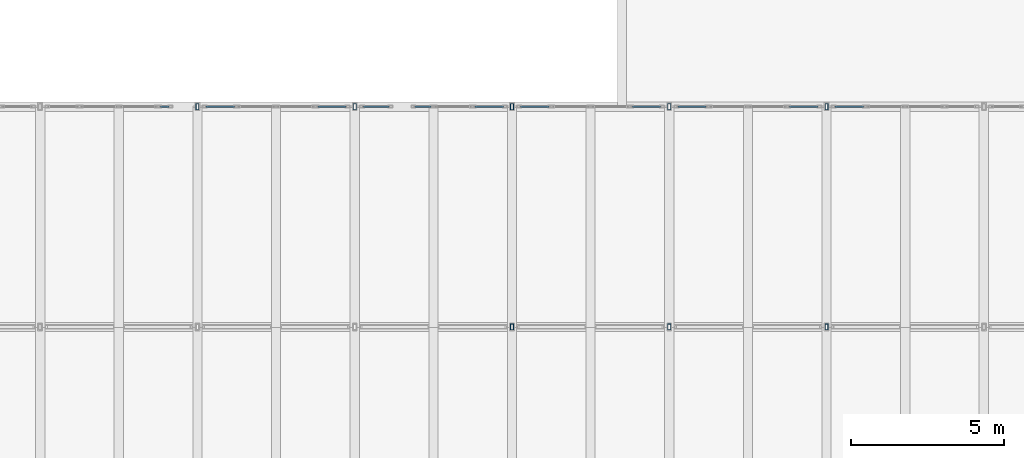
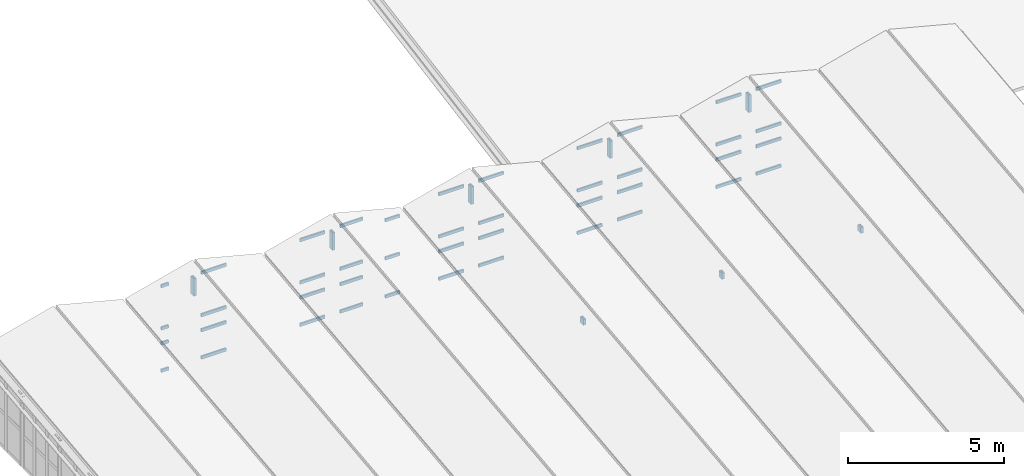
# One storey, part 21 of 39: 51 members, 11 elements without a shape of their own.
"""IFC4 building model written with IfcOpenShell, lengths in metres."""

from ifc_helpers import new_model, si_unit, direction, frame, origin, origin_2d, place, context, subcontext, project, spatial, hollow_rectangle, extrude, material, layer, layer_set, material_profile, profile_set, type_object, element, aggregate, save


model = new_model("IFC4")

# Units and contexts
model_context = context("Model", 3, precision=1e-05, world=origin(), true_north=direction((0.0, 1.0)))
body_context = subcontext(model_context, "Body", "Model", "MODEL_VIEW")
ifc_project = project(units=[si_unit("LENGTHUNIT", "METRE"), si_unit("AREAUNIT", "SQUARE_METRE"), si_unit("VOLUMEUNIT", "CUBIC_METRE"), si_unit("PLANEANGLEUNIT", "RADIAN"), si_unit("MASSUNIT", "GRAM", prefix="KILO"), si_unit("THERMODYNAMICTEMPERATUREUNIT", "KELVIN"), si_unit("POWERUNIT", "WATT")], contexts=[model_context])

# Site, building, storey
site_placement = place(None, origin())
site = spatial("IfcSite", under=ifc_project, at=site_placement, CompositionType="ELEMENT")
building_placement = place(site_placement, origin())
building = spatial("IfcBuilding", under=site, at=building_placement, Name="Kaldorven Railside Theatre", CompositionType="ELEMENT")
storey_placement = place(building_placement, frame((0.0, 0.0, 27.300048828125)))
storey = spatial("IfcBuildingStorey", under=building, at=storey_placement, Name="ROOF", CompositionType="ELEMENT", Elevation=27.300048828125)

# Curtain wall, members
ifc_material_1 = material(Name="Low-E laminated solar-control glass", Category="glass")
ifc_layer_1 = layer(ifc_material_1, 0.159912109375, Name="Low-E laminated solar-control glass")
ifc_layer_set_1 = layer_set([ifc_layer_1], Name="Low-E laminated solar-control glass")
curtain_wall_type_1 = type_object("IfcCurtainWallType", Name="CWT-50", PredefinedType="USERDEFINED", material=ifc_layer_set_1)
curtain_wall_1_placement = place(storey_placement, origin())
curtain_wall_1 = element("IfcCurtainWall", 1, at=curtain_wall_1_placement, inside=storey, type_object=curtain_wall_type_1, Name="Fly-Tower North Crown Clerestory CWG-068", ObjectType="FLUTED GLAZING", PredefinedType="USERDEFINED")
ifc_material_2 = material(Name="Anodised bronze aluminium", Category="aluminium")
ifc_material_profile_1 = material_profile(ifc_material_2, hollow_rectangle(XDim=0.06005859375, YDim=0.1201171875, WallThickness=0.0048828125, at=origin_2d()), Name="RHS 120x60x5")
ifc_profile_set_1 = profile_set([ifc_material_profile_1], Name="Anodised bronze aluminium")
member_type_1 = type_object("IfcMemberType", Name="CWT-120", PredefinedType="USERDEFINED", material=ifc_profile_set_1)
member_1_placement = place(storey_placement, frame((93.70849609375, 112.800048828125, 0.050048828125), z_axis=(1.0, 0.0, 0.0), x_axis=(0.0, 1.0, 0.0)))
member_1 = element("IfcMember", 2, at=member_1_placement, type_object=member_type_1, Name="CWG-068 transom 1.1", ObjectType="TRANSOM", PredefinedType="USERDEFINED", context=body_context, shape_type="SweptSolid", body=[
    extrude(hollow_rectangle(XDim=0.06005859375, YDim=0.1201171875, WallThickness=0.0048828125, at=origin_2d()), origin(), (0.0, 0.0, 1.0), 0.271484375),
])
member_2_placement = place(storey_placement, frame((93.70849609375, 112.800048828125, 1.119873046875), z_axis=(1.0, 0.0, 0.0), x_axis=(0.0, 1.0, 0.0)))
member_2 = element("IfcMember", 3, at=member_2_placement, type_object=member_type_1, Name="CWG-068 transom 1.2", ObjectType="TRANSOM", PredefinedType="USERDEFINED", context=body_context, shape_type="SweptSolid", body=[
    extrude(hollow_rectangle(XDim=0.06005859375, YDim=0.1201171875, WallThickness=0.0048828125, at=origin_2d()), origin(), (0.0, 0.0, 1.0), 0.271484375),
])
member_3_placement = place(storey_placement, frame((93.70849609375, 112.800048828125, 1.7099609375), z_axis=(1.0, 0.0, 0.0), x_axis=(0.0, 1.0, 0.0)))
member_3 = element("IfcMember", 4, at=member_3_placement, type_object=member_type_1, Name="CWG-068 transom 1.3", ObjectType="TRANSOM", PredefinedType="USERDEFINED", context=body_context, shape_type="SweptSolid", body=[
    extrude(hollow_rectangle(XDim=0.06005859375, YDim=0.1201171875, WallThickness=0.0048828125, at=origin_2d()), origin(), (0.0, 0.0, 1.0), 0.271484375),
])
member_4_placement = place(storey_placement, frame((93.70849609375, 112.800048828125, 3.369873046875), z_axis=(1.0, 0.0, 0.0), x_axis=(0.0, 1.0, 0.0)))
member_4 = element("IfcMember", 5, at=member_4_placement, type_object=member_type_1, Name="CWG-068 transom 1.4", ObjectType="TRANSOM", PredefinedType="USERDEFINED", context=body_context, shape_type="SweptSolid", body=[
    extrude(hollow_rectangle(XDim=0.06005859375, YDim=0.1201171875, WallThickness=0.0048828125, at=origin_2d()), origin(), (0.0, 0.0, 1.0), 0.271484375),
])
aggregate(curtain_wall_1, [member_1, member_2, member_3, member_4])

ifc_layer_2 = layer(ifc_material_1, 0.159912109375, Name="Low-E laminated solar-control glass")
ifc_layer_set_2 = layer_set([ifc_layer_2], Name="Low-E laminated solar-control glass")
curtain_wall_type_2 = type_object("IfcCurtainWallType", Name="CWT-48", PredefinedType="USERDEFINED", material=ifc_layer_set_2)
curtain_wall_2_placement = place(storey_placement, origin())
curtain_wall_2 = element("IfcCurtainWall", 6, at=curtain_wall_2_placement, inside=storey, type_object=curtain_wall_type_2, Name="Fly-Tower North Crown Clerestory CWG-069", ObjectType="FLUTED GLAZING", PredefinedType="USERDEFINED")
member_5_placement = place(storey_placement, frame((95.1943359375, 112.800048828125, 0.050048828125), z_axis=(1.0, 0.0, 0.0), x_axis=(0.0, 1.0, 0.0)))
member_5 = element("IfcMember", 7, at=member_5_placement, type_object=member_type_1, Name="CWG-069 transom 1.1", ObjectType="TRANSOM", PredefinedType="USERDEFINED", context=body_context, shape_type="SweptSolid", body=[
    extrude(hollow_rectangle(XDim=0.06005859375, YDim=0.1201171875, WallThickness=0.0048828125, at=origin_2d()), origin(), (0.0, 0.0, 1.0), 0.92578125),
])
member_6_placement = place(storey_placement, frame((95.1943359375, 112.800048828125, 1.119873046875), z_axis=(1.0, 0.0, 0.0), x_axis=(0.0, 1.0, 0.0)))
member_6 = element("IfcMember", 8, at=member_6_placement, type_object=member_type_1, Name="CWG-069 transom 1.2", ObjectType="TRANSOM", PredefinedType="USERDEFINED", context=body_context, shape_type="SweptSolid", body=[
    extrude(hollow_rectangle(XDim=0.06005859375, YDim=0.1201171875, WallThickness=0.0048828125, at=origin_2d()), origin(), (0.0, 0.0, 1.0), 0.92578125),
])
member_7_placement = place(storey_placement, frame((95.1943359375, 112.800048828125, 1.7099609375), z_axis=(1.0, 0.0, 0.0), x_axis=(0.0, 1.0, 0.0)))
member_7 = element("IfcMember", 9, at=member_7_placement, type_object=member_type_1, Name="CWG-069 transom 1.3", ObjectType="TRANSOM", PredefinedType="USERDEFINED", context=body_context, shape_type="SweptSolid", body=[
    extrude(hollow_rectangle(XDim=0.06005859375, YDim=0.1201171875, WallThickness=0.0048828125, at=origin_2d()), origin(), (0.0, 0.0, 1.0), 0.92578125),
])
member_8_placement = place(storey_placement, frame((95.1943359375, 112.800048828125, 3.369873046875), z_axis=(1.0, 0.0, 0.0), x_axis=(0.0, 1.0, 0.0)))
member_8 = element("IfcMember", 10, at=member_8_placement, type_object=member_type_1, Name="CWG-069 transom 1.4", ObjectType="TRANSOM", PredefinedType="USERDEFINED", context=body_context, shape_type="SweptSolid", body=[
    extrude(hollow_rectangle(XDim=0.06005859375, YDim=0.1201171875, WallThickness=0.0048828125, at=origin_2d()), origin(), (0.0, 0.0, 1.0), 0.92578125),
])
aggregate(curtain_wall_2, [member_5, member_6, member_7, member_8])

curtain_wall_3_placement = place(storey_placement, origin())
curtain_wall_3 = element("IfcCurtainWall", 11, at=curtain_wall_3_placement, inside=storey, type_object=curtain_wall_type_2, Name="Fly-Tower North Crown Clerestory CWG-072", ObjectType="FLUTED GLAZING", PredefinedType="USERDEFINED")
member_9_placement = place(storey_placement, frame((98.851318359375, 112.800048828125, 0.050048828125), z_axis=(1.0, 0.0, 0.0), x_axis=(0.0, 1.0, 0.0)))
member_9 = element("IfcMember", 12, at=member_9_placement, type_object=member_type_1, Name="CWG-072 transom 1.1", ObjectType="TRANSOM", PredefinedType="USERDEFINED", context=body_context, shape_type="SweptSolid", body=[
    extrude(hollow_rectangle(XDim=0.06005859375, YDim=0.1201171875, WallThickness=0.0048828125, at=origin_2d()), origin(), (0.0, 0.0, 1.0), 0.92578125),
])
member_10_placement = place(storey_placement, frame((98.851318359375, 112.800048828125, 1.119873046875), z_axis=(1.0, 0.0, 0.0), x_axis=(0.0, 1.0, 0.0)))
member_10 = element("IfcMember", 13, at=member_10_placement, type_object=member_type_1, Name="CWG-072 transom 1.2", ObjectType="TRANSOM", PredefinedType="USERDEFINED", context=body_context, shape_type="SweptSolid", body=[
    extrude(hollow_rectangle(XDim=0.06005859375, YDim=0.1201171875, WallThickness=0.0048828125, at=origin_2d()), origin(), (0.0, 0.0, 1.0), 0.92578125),
])
member_11_placement = place(storey_placement, frame((98.851318359375, 112.800048828125, 1.7099609375), z_axis=(1.0, 0.0, 0.0), x_axis=(0.0, 1.0, 0.0)))
member_11 = element("IfcMember", 14, at=member_11_placement, type_object=member_type_1, Name="CWG-072 transom 1.3", ObjectType="TRANSOM", PredefinedType="USERDEFINED", context=body_context, shape_type="SweptSolid", body=[
    extrude(hollow_rectangle(XDim=0.06005859375, YDim=0.1201171875, WallThickness=0.0048828125, at=origin_2d()), origin(), (0.0, 0.0, 1.0), 0.92578125),
])
member_12_placement = place(storey_placement, frame((98.851318359375, 112.800048828125, 3.369873046875), z_axis=(1.0, 0.0, 0.0), x_axis=(0.0, 1.0, 0.0)))
member_12 = element("IfcMember", 15, at=member_12_placement, type_object=member_type_1, Name="CWG-072 transom 1.4", ObjectType="TRANSOM", PredefinedType="USERDEFINED", context=body_context, shape_type="SweptSolid", body=[
    extrude(hollow_rectangle(XDim=0.06005859375, YDim=0.1201171875, WallThickness=0.0048828125, at=origin_2d()), origin(), (0.0, 0.0, 1.0), 0.92578125),
])
aggregate(curtain_wall_3, [member_9, member_10, member_11, member_12])

ifc_layer_3 = layer(ifc_material_1, 0.159912109375, Name="Low-E laminated solar-control glass")
ifc_layer_set_3 = layer_set([ifc_layer_3], Name="Low-E laminated solar-control glass")
curtain_wall_type_3 = type_object("IfcCurtainWallType", Name="CWT-51", PredefinedType="USERDEFINED", material=ifc_layer_set_3)
curtain_wall_4_placement = place(storey_placement, origin())
curtain_wall_4 = element("IfcCurtainWall", 16, at=curtain_wall_4_placement, inside=storey, type_object=curtain_wall_type_3, Name="Fly-Tower North Crown Clerestory CWG-073", ObjectType="FLUTED GLAZING", PredefinedType="USERDEFINED")
member_13_placement = place(storey_placement, frame((100.337158203125, 112.800048828125, 0.050048828125), z_axis=(1.0, 0.0, 0.0), x_axis=(0.0, 1.0, 0.0)))
member_13 = element("IfcMember", 17, at=member_13_placement, type_object=member_type_1, Name="CWG-073 transom 1.1", ObjectType="TRANSOM", PredefinedType="USERDEFINED", context=body_context, shape_type="SweptSolid", body=[
    extrude(hollow_rectangle(XDim=0.06005859375, YDim=0.1201171875, WallThickness=0.0048828125, at=origin_2d()), origin(), (0.0, 0.0, 1.0), 0.8427734375),
])
member_14_placement = place(storey_placement, frame((100.337158203125, 112.800048828125, 1.119873046875), z_axis=(1.0, 0.0, 0.0), x_axis=(0.0, 1.0, 0.0)))
member_14 = element("IfcMember", 18, at=member_14_placement, type_object=member_type_1, Name="CWG-073 transom 1.2", ObjectType="TRANSOM", PredefinedType="USERDEFINED", context=body_context, shape_type="SweptSolid", body=[
    extrude(hollow_rectangle(XDim=0.06005859375, YDim=0.1201171875, WallThickness=0.0048828125, at=origin_2d()), origin(), (0.0, 0.0, 1.0), 0.8427734375),
])
member_15_placement = place(storey_placement, frame((100.337158203125, 112.800048828125, 1.724853515625), z_axis=(1.0, 0.0, 0.0), x_axis=(0.0, 1.0, 0.0)))
member_15 = element("IfcMember", 19, at=member_15_placement, type_object=member_type_1, Name="CWG-073 transom 1.3", ObjectType="TRANSOM", PredefinedType="USERDEFINED", context=body_context, shape_type="SweptSolid", body=[
    extrude(hollow_rectangle(XDim=0.06005859375, YDim=0.1201171875, WallThickness=0.0048828125, at=origin_2d()), origin(), (0.0, 0.0, 1.0), 0.8427734375),
])
member_16_placement = place(storey_placement, frame((100.337158203125, 112.800048828125, 3.39990234375), z_axis=(1.0, 0.0, 0.0), x_axis=(0.0, 1.0, 0.0)))
member_16 = element("IfcMember", 20, at=member_16_placement, type_object=member_type_1, Name="CWG-073 transom 1.4", ObjectType="TRANSOM", PredefinedType="USERDEFINED", context=body_context, shape_type="SweptSolid", body=[
    extrude(hollow_rectangle(XDim=0.06005859375, YDim=0.1201171875, WallThickness=0.0048828125, at=origin_2d()), origin(), (0.0, 0.0, 1.0), 0.8427734375),
])
aggregate(curtain_wall_4, [member_13, member_14, member_15, member_16])

ifc_layer_4 = layer(ifc_material_1, 0.159912109375, Name="Low-E laminated solar-control glass")
ifc_layer_set_4 = layer_set([ifc_layer_4], Name="Low-E laminated solar-control glass")
curtain_wall_type_4 = type_object("IfcCurtainWallType", Name="CWT-52", PredefinedType="USERDEFINED", material=ifc_layer_set_4)
curtain_wall_5_placement = place(storey_placement, origin())
curtain_wall_5 = element("IfcCurtainWall", 21, at=curtain_wall_5_placement, inside=storey, type_object=curtain_wall_type_4, Name="Fly-Tower North Crown Clerestory CWG-074", ObjectType="FLUTED GLAZING", PredefinedType="USERDEFINED")
member_17_placement = place(storey_placement, frame((102.02001953125, 112.800048828125, 0.050048828125), z_axis=(1.0, 0.0, 0.0), x_axis=(0.0, 1.0, 0.0)))
member_17 = element("IfcMember", 22, at=member_17_placement, type_object=member_type_1, Name="CWG-074 transom 1.1", ObjectType="TRANSOM", PredefinedType="USERDEFINED", context=body_context, shape_type="SweptSolid", body=[
    extrude(hollow_rectangle(XDim=0.06005859375, YDim=0.1201171875, WallThickness=0.0048828125, at=origin_2d()), origin(), (0.0, 0.0, 1.0), 0.528564453125),
])
member_18_placement = place(storey_placement, frame((102.02001953125, 112.800048828125, 1.544921875), z_axis=(1.0, 0.0, 0.0), x_axis=(0.0, 1.0, 0.0)))
member_18 = element("IfcMember", 23, at=member_18_placement, type_object=member_type_1, Name="CWG-074 transom 1.2", ObjectType="TRANSOM", PredefinedType="USERDEFINED", context=body_context, shape_type="SweptSolid", body=[
    extrude(hollow_rectangle(XDim=0.06005859375, YDim=0.1201171875, WallThickness=0.0048828125, at=origin_2d()), origin(), (0.0, 0.0, 1.0), 0.528564453125),
])
member_19_placement = place(storey_placement, frame((102.02001953125, 112.800048828125, 3.0400390625), z_axis=(1.0, 0.0, 0.0), x_axis=(0.0, 1.0, 0.0)))
member_19 = element("IfcMember", 24, at=member_19_placement, type_object=member_type_1, Name="CWG-074 transom 1.3", ObjectType="TRANSOM", PredefinedType="USERDEFINED", context=body_context, shape_type="SweptSolid", body=[
    extrude(hollow_rectangle(XDim=0.06005859375, YDim=0.1201171875, WallThickness=0.0048828125, at=origin_2d()), origin(), (0.0, 0.0, 1.0), 0.528564453125),
])
aggregate(curtain_wall_5, [member_17, member_18, member_19])

curtain_wall_6_placement = place(storey_placement, origin())
curtain_wall_6 = element("IfcCurtainWall", 25, at=curtain_wall_6_placement, inside=storey, type_object=curtain_wall_type_2, Name="Fly-Tower North Crown Clerestory CWG-076", ObjectType="FLUTED GLAZING", PredefinedType="USERDEFINED")
member_20_placement = place(storey_placement, frame((103.994384765625, 112.800048828125, 0.050048828125), z_axis=(1.0, 0.0, 0.0), x_axis=(0.0, 1.0, 0.0)))
member_20 = element("IfcMember", 26, at=member_20_placement, type_object=member_type_1, Name="CWG-076 transom 1.1", ObjectType="TRANSOM", PredefinedType="USERDEFINED", context=body_context, shape_type="SweptSolid", body=[
    extrude(hollow_rectangle(XDim=0.06005859375, YDim=0.1201171875, WallThickness=0.0048828125, at=origin_2d()), origin(), (0.0, 0.0, 1.0), 0.925537109375),
])
member_21_placement = place(storey_placement, frame((103.994384765625, 112.800048828125, 1.119873046875), z_axis=(1.0, 0.0, 0.0), x_axis=(0.0, 1.0, 0.0)))
member_21 = element("IfcMember", 27, at=member_21_placement, type_object=member_type_1, Name="CWG-076 transom 1.2", ObjectType="TRANSOM", PredefinedType="USERDEFINED", context=body_context, shape_type="SweptSolid", body=[
    extrude(hollow_rectangle(XDim=0.06005859375, YDim=0.1201171875, WallThickness=0.0048828125, at=origin_2d()), origin(), (0.0, 0.0, 1.0), 0.925537109375),
])
member_22_placement = place(storey_placement, frame((103.994384765625, 112.800048828125, 1.7099609375), z_axis=(1.0, 0.0, 0.0), x_axis=(0.0, 1.0, 0.0)))
member_22 = element("IfcMember", 28, at=member_22_placement, type_object=member_type_1, Name="CWG-076 transom 1.3", ObjectType="TRANSOM", PredefinedType="USERDEFINED", context=body_context, shape_type="SweptSolid", body=[
    extrude(hollow_rectangle(XDim=0.06005859375, YDim=0.1201171875, WallThickness=0.0048828125, at=origin_2d()), origin(), (0.0, 0.0, 1.0), 0.925537109375),
])
member_23_placement = place(storey_placement, frame((103.994384765625, 112.800048828125, 3.369873046875), z_axis=(1.0, 0.0, 0.0), x_axis=(0.0, 1.0, 0.0)))
member_23 = element("IfcMember", 29, at=member_23_placement, type_object=member_type_1, Name="CWG-076 transom 1.4", ObjectType="TRANSOM", PredefinedType="USERDEFINED", context=body_context, shape_type="SweptSolid", body=[
    extrude(hollow_rectangle(XDim=0.06005859375, YDim=0.1201171875, WallThickness=0.0048828125, at=origin_2d()), origin(), (0.0, 0.0, 1.0), 0.925537109375),
])
aggregate(curtain_wall_6, [member_20, member_21, member_22, member_23])

curtain_wall_7_placement = place(storey_placement, origin())
curtain_wall_7 = element("IfcCurtainWall", 30, at=curtain_wall_7_placement, inside=storey, type_object=curtain_wall_type_2, Name="Fly-Tower North Crown Clerestory CWG-077", ObjectType="FLUTED GLAZING", PredefinedType="USERDEFINED")
member_24_placement = place(storey_placement, frame((105.47998046875, 112.800048828125, 0.050048828125), z_axis=(1.0, 0.0, 0.0), x_axis=(0.0, 1.0, 0.0)))
member_24 = element("IfcMember", 31, at=member_24_placement, type_object=member_type_1, Name="CWG-077 transom 1.1", ObjectType="TRANSOM", PredefinedType="USERDEFINED", context=body_context, shape_type="SweptSolid", body=[
    extrude(hollow_rectangle(XDim=0.06005859375, YDim=0.1201171875, WallThickness=0.0048828125, at=origin_2d()), origin(), (0.0, 0.0, 1.0), 0.92578125),
])
member_25_placement = place(storey_placement, frame((105.47998046875, 112.800048828125, 1.119873046875), z_axis=(1.0, 0.0, 0.0), x_axis=(0.0, 1.0, 0.0)))
member_25 = element("IfcMember", 32, at=member_25_placement, type_object=member_type_1, Name="CWG-077 transom 1.2", ObjectType="TRANSOM", PredefinedType="USERDEFINED", context=body_context, shape_type="SweptSolid", body=[
    extrude(hollow_rectangle(XDim=0.06005859375, YDim=0.1201171875, WallThickness=0.0048828125, at=origin_2d()), origin(), (0.0, 0.0, 1.0), 0.92578125),
])
member_26_placement = place(storey_placement, frame((105.47998046875, 112.800048828125, 1.7099609375), z_axis=(1.0, 0.0, 0.0), x_axis=(0.0, 1.0, 0.0)))
member_26 = element("IfcMember", 33, at=member_26_placement, type_object=member_type_1, Name="CWG-077 transom 1.3", ObjectType="TRANSOM", PredefinedType="USERDEFINED", context=body_context, shape_type="SweptSolid", body=[
    extrude(hollow_rectangle(XDim=0.06005859375, YDim=0.1201171875, WallThickness=0.0048828125, at=origin_2d()), origin(), (0.0, 0.0, 1.0), 0.92578125),
])
member_27_placement = place(storey_placement, frame((105.47998046875, 112.800048828125, 3.369873046875), z_axis=(1.0, 0.0, 0.0), x_axis=(0.0, 1.0, 0.0)))
member_27 = element("IfcMember", 34, at=member_27_placement, type_object=member_type_1, Name="CWG-077 transom 1.4", ObjectType="TRANSOM", PredefinedType="USERDEFINED", context=body_context, shape_type="SweptSolid", body=[
    extrude(hollow_rectangle(XDim=0.06005859375, YDim=0.1201171875, WallThickness=0.0048828125, at=origin_2d()), origin(), (0.0, 0.0, 1.0), 0.92578125),
])
aggregate(curtain_wall_7, [member_24, member_25, member_26, member_27])

curtain_wall_8_placement = place(storey_placement, origin())
curtain_wall_8 = element("IfcCurtainWall", 35, at=curtain_wall_8_placement, inside=storey, type_object=curtain_wall_type_2, Name="Fly-Tower North Crown Clerestory CWG-080", ObjectType="FLUTED GLAZING", PredefinedType="USERDEFINED")
member_28_placement = place(storey_placement, frame((109.13720703125, 112.800048828125, 0.050048828125), z_axis=(1.0, 0.0, 0.0), x_axis=(0.0, 1.0, 0.0)))
member_28 = element("IfcMember", 36, at=member_28_placement, type_object=member_type_1, Name="CWG-080 transom 1.1", ObjectType="TRANSOM", PredefinedType="USERDEFINED", context=body_context, shape_type="SweptSolid", body=[
    extrude(hollow_rectangle(XDim=0.06005859375, YDim=0.1201171875, WallThickness=0.0048828125, at=origin_2d()), origin(), (0.0, 0.0, 1.0), 0.925537109375),
])
member_29_placement = place(storey_placement, frame((109.13720703125, 112.800048828125, 1.119873046875), z_axis=(1.0, 0.0, 0.0), x_axis=(0.0, 1.0, 0.0)))
member_29 = element("IfcMember", 37, at=member_29_placement, type_object=member_type_1, Name="CWG-080 transom 1.2", ObjectType="TRANSOM", PredefinedType="USERDEFINED", context=body_context, shape_type="SweptSolid", body=[
    extrude(hollow_rectangle(XDim=0.06005859375, YDim=0.1201171875, WallThickness=0.0048828125, at=origin_2d()), origin(), (0.0, 0.0, 1.0), 0.925537109375),
])
member_30_placement = place(storey_placement, frame((109.13720703125, 112.800048828125, 1.7099609375), z_axis=(1.0, 0.0, 0.0), x_axis=(0.0, 1.0, 0.0)))
member_30 = element("IfcMember", 38, at=member_30_placement, type_object=member_type_1, Name="CWG-080 transom 1.3", ObjectType="TRANSOM", PredefinedType="USERDEFINED", context=body_context, shape_type="SweptSolid", body=[
    extrude(hollow_rectangle(XDim=0.06005859375, YDim=0.1201171875, WallThickness=0.0048828125, at=origin_2d()), origin(), (0.0, 0.0, 1.0), 0.925537109375),
])
member_31_placement = place(storey_placement, frame((109.13720703125, 112.800048828125, 3.369873046875), z_axis=(1.0, 0.0, 0.0), x_axis=(0.0, 1.0, 0.0)))
member_31 = element("IfcMember", 39, at=member_31_placement, type_object=member_type_1, Name="CWG-080 transom 1.4", ObjectType="TRANSOM", PredefinedType="USERDEFINED", context=body_context, shape_type="SweptSolid", body=[
    extrude(hollow_rectangle(XDim=0.06005859375, YDim=0.1201171875, WallThickness=0.0048828125, at=origin_2d()), origin(), (0.0, 0.0, 1.0), 0.925537109375),
])
aggregate(curtain_wall_8, [member_28, member_29, member_30, member_31])

curtain_wall_9_placement = place(storey_placement, origin())
curtain_wall_9 = element("IfcCurtainWall", 40, at=curtain_wall_9_placement, inside=storey, type_object=curtain_wall_type_2, Name="Fly-Tower North Crown Clerestory CWG-081", ObjectType="FLUTED GLAZING", PredefinedType="USERDEFINED")
member_32_placement = place(storey_placement, frame((110.622802734375, 112.800048828125, 0.050048828125), z_axis=(1.0, 0.0, 0.0), x_axis=(0.0, 1.0, 0.0)))
member_32 = element("IfcMember", 41, at=member_32_placement, type_object=member_type_1, Name="CWG-081 transom 1.1", ObjectType="TRANSOM", PredefinedType="USERDEFINED", context=body_context, shape_type="SweptSolid", body=[
    extrude(hollow_rectangle(XDim=0.06005859375, YDim=0.1201171875, WallThickness=0.0048828125, at=origin_2d()), origin(), (0.0, 0.0, 1.0), 0.92578125),
])
member_33_placement = place(storey_placement, frame((110.622802734375, 112.800048828125, 1.119873046875), z_axis=(1.0, 0.0, 0.0), x_axis=(0.0, 1.0, 0.0)))
member_33 = element("IfcMember", 42, at=member_33_placement, type_object=member_type_1, Name="CWG-081 transom 1.2", ObjectType="TRANSOM", PredefinedType="USERDEFINED", context=body_context, shape_type="SweptSolid", body=[
    extrude(hollow_rectangle(XDim=0.06005859375, YDim=0.1201171875, WallThickness=0.0048828125, at=origin_2d()), origin(), (0.0, 0.0, 1.0), 0.92578125),
])
member_34_placement = place(storey_placement, frame((110.622802734375, 112.800048828125, 1.7099609375), z_axis=(1.0, 0.0, 0.0), x_axis=(0.0, 1.0, 0.0)))
member_34 = element("IfcMember", 43, at=member_34_placement, type_object=member_type_1, Name="CWG-081 transom 1.3", ObjectType="TRANSOM", PredefinedType="USERDEFINED", context=body_context, shape_type="SweptSolid", body=[
    extrude(hollow_rectangle(XDim=0.06005859375, YDim=0.1201171875, WallThickness=0.0048828125, at=origin_2d()), origin(), (0.0, 0.0, 1.0), 0.92578125),
])
member_35_placement = place(storey_placement, frame((110.622802734375, 112.800048828125, 3.369873046875), z_axis=(1.0, 0.0, 0.0), x_axis=(0.0, 1.0, 0.0)))
member_35 = element("IfcMember", 44, at=member_35_placement, type_object=member_type_1, Name="CWG-081 transom 1.4", ObjectType="TRANSOM", PredefinedType="USERDEFINED", context=body_context, shape_type="SweptSolid", body=[
    extrude(hollow_rectangle(XDim=0.06005859375, YDim=0.1201171875, WallThickness=0.0048828125, at=origin_2d()), origin(), (0.0, 0.0, 1.0), 0.92578125),
])
aggregate(curtain_wall_9, [member_32, member_33, member_34, member_35])

curtain_wall_10_placement = place(storey_placement, origin())
curtain_wall_10 = element("IfcCurtainWall", 45, at=curtain_wall_10_placement, inside=storey, type_object=curtain_wall_type_2, Name="Fly-Tower North Crown Clerestory CWG-084", ObjectType="FLUTED GLAZING", PredefinedType="USERDEFINED")
member_36_placement = place(storey_placement, frame((114.280029296875, 112.800048828125, 0.050048828125), z_axis=(1.0, 0.0, 0.0), x_axis=(0.0, 1.0, 0.0)))
member_36 = element("IfcMember", 46, at=member_36_placement, type_object=member_type_1, Name="CWG-084 transom 1.1", ObjectType="TRANSOM", PredefinedType="USERDEFINED", context=body_context, shape_type="SweptSolid", body=[
    extrude(hollow_rectangle(XDim=0.06005859375, YDim=0.1201171875, WallThickness=0.0048828125, at=origin_2d()), origin(), (0.0, 0.0, 1.0), 0.92578125),
])
member_37_placement = place(storey_placement, frame((114.280029296875, 112.800048828125, 1.119873046875), z_axis=(1.0, 0.0, 0.0), x_axis=(0.0, 1.0, 0.0)))
member_37 = element("IfcMember", 47, at=member_37_placement, type_object=member_type_1, Name="CWG-084 transom 1.2", ObjectType="TRANSOM", PredefinedType="USERDEFINED", context=body_context, shape_type="SweptSolid", body=[
    extrude(hollow_rectangle(XDim=0.06005859375, YDim=0.1201171875, WallThickness=0.0048828125, at=origin_2d()), origin(), (0.0, 0.0, 1.0), 0.92578125),
])
member_38_placement = place(storey_placement, frame((114.280029296875, 112.800048828125, 1.7099609375), z_axis=(1.0, 0.0, 0.0), x_axis=(0.0, 1.0, 0.0)))
member_38 = element("IfcMember", 48, at=member_38_placement, type_object=member_type_1, Name="CWG-084 transom 1.3", ObjectType="TRANSOM", PredefinedType="USERDEFINED", context=body_context, shape_type="SweptSolid", body=[
    extrude(hollow_rectangle(XDim=0.06005859375, YDim=0.1201171875, WallThickness=0.0048828125, at=origin_2d()), origin(), (0.0, 0.0, 1.0), 0.92578125),
])
member_39_placement = place(storey_placement, frame((114.280029296875, 112.800048828125, 3.369873046875), z_axis=(1.0, 0.0, 0.0), x_axis=(0.0, 1.0, 0.0)))
member_39 = element("IfcMember", 49, at=member_39_placement, type_object=member_type_1, Name="CWG-084 transom 1.4", ObjectType="TRANSOM", PredefinedType="USERDEFINED", context=body_context, shape_type="SweptSolid", body=[
    extrude(hollow_rectangle(XDim=0.06005859375, YDim=0.1201171875, WallThickness=0.0048828125, at=origin_2d()), origin(), (0.0, 0.0, 1.0), 0.92578125),
])
aggregate(curtain_wall_10, [member_36, member_37, member_38, member_39])

curtain_wall_11_placement = place(storey_placement, origin())
curtain_wall_11 = element("IfcCurtainWall", 50, at=curtain_wall_11_placement, inside=storey, type_object=curtain_wall_type_2, Name="Fly-Tower North Crown Clerestory CWG-085", ObjectType="FLUTED GLAZING", PredefinedType="USERDEFINED")
member_40_placement = place(storey_placement, frame((115.765625, 112.800048828125, 0.050048828125), z_axis=(1.0, 0.0, 0.0), x_axis=(0.0, 1.0, 0.0)))
member_40 = element("IfcMember", 51, at=member_40_placement, type_object=member_type_1, Name="CWG-085 transom 1.1", ObjectType="TRANSOM", PredefinedType="USERDEFINED", context=body_context, shape_type="SweptSolid", body=[
    extrude(hollow_rectangle(XDim=0.06005859375, YDim=0.1201171875, WallThickness=0.0048828125, at=origin_2d()), origin(), (0.0, 0.0, 1.0), 0.92578125),
])
member_41_placement = place(storey_placement, frame((115.765625, 112.800048828125, 1.119873046875), z_axis=(1.0, 0.0, 0.0), x_axis=(0.0, 1.0, 0.0)))
member_41 = element("IfcMember", 52, at=member_41_placement, type_object=member_type_1, Name="CWG-085 transom 1.2", ObjectType="TRANSOM", PredefinedType="USERDEFINED", context=body_context, shape_type="SweptSolid", body=[
    extrude(hollow_rectangle(XDim=0.06005859375, YDim=0.1201171875, WallThickness=0.0048828125, at=origin_2d()), origin(), (0.0, 0.0, 1.0), 0.92578125),
])
member_42_placement = place(storey_placement, frame((115.765625, 112.800048828125, 1.7099609375), z_axis=(1.0, 0.0, 0.0), x_axis=(0.0, 1.0, 0.0)))
member_42 = element("IfcMember", 53, at=member_42_placement, type_object=member_type_1, Name="CWG-085 transom 1.3", ObjectType="TRANSOM", PredefinedType="USERDEFINED", context=body_context, shape_type="SweptSolid", body=[
    extrude(hollow_rectangle(XDim=0.06005859375, YDim=0.1201171875, WallThickness=0.0048828125, at=origin_2d()), origin(), (0.0, 0.0, 1.0), 0.92578125),
])
member_43_placement = place(storey_placement, frame((115.765625, 112.800048828125, 3.369873046875), z_axis=(1.0, 0.0, 0.0), x_axis=(0.0, 1.0, 0.0)))
member_43 = element("IfcMember", 54, at=member_43_placement, type_object=member_type_1, Name="CWG-085 transom 1.4", ObjectType="TRANSOM", PredefinedType="USERDEFINED", context=body_context, shape_type="SweptSolid", body=[
    extrude(hollow_rectangle(XDim=0.06005859375, YDim=0.1201171875, WallThickness=0.0048828125, at=origin_2d()), origin(), (0.0, 0.0, 1.0), 0.92578125),
])
aggregate(curtain_wall_11, [member_40, member_41, member_42, member_43])

# Members
ifc_material_3 = material(Name="Steel S355", Category="steel")
ifc_material_profile_2 = material_profile(ifc_material_3, hollow_rectangle(XDim=0.10009765625, YDim=0.199951171875, WallThickness=0.008056640625, at=origin_2d()), Name="RHS 200x100x8")
ifc_profile_set_2 = profile_set([ifc_material_profile_2], Name="Steel S355")
member_type_2 = type_object("IfcMemberType", Name="MEM-RHS200", PredefinedType="STRUT", material=ifc_profile_set_2)
for number, where, z_axis, x_axis, name in (
    (55, (94.914306640625, 112.800048828125, 2.614501953125), (0.0, 0.0, 1.0), (1.0, 0.0, 0.0), "V2 N Gable Bearing Post"),
    (56, (100.05712890625, 112.800048828125, 2.614501953125), (0.0, 0.0, 1.0), (1.0, 0.0, 0.0), "V2 N Gable Bearing Post"),
    (57, (105.199951171875, 112.800048828125, 2.614501953125), (0.0, 0.0, 1.0), (1.0, 0.0, 0.0), "V2 N Gable Bearing Post"),
    (58, (110.3427734375, 112.800048828125, 2.614501953125), (0.0, 0.0, 1.0), (1.0, 0.0, 0.0), "V2 N Gable Bearing Post"),
    (59, (115.485595703125, 112.800048828125, 2.614501953125), (0.0, 0.0, 1.0), (1.0, 0.0, 0.0), "V2 N Gable Bearing Post"),
):
    element("IfcMember", number, at=place(storey_placement, frame(where, z_axis=z_axis, x_axis=x_axis)), inside=storey, type_object=member_type_2, Name=name, PredefinedType="STRUT", context=body_context, shape_type="SweptSolid", body=[
        extrude(hollow_rectangle(XDim=0.10009765625, YDim=0.199951171875, WallThickness=0.008056640625, at=origin_2d()), origin(), (0.0, 0.0, 1.0), 0.6875),
    ])
for number, where, z_axis, x_axis, name in (
    (60, (105.199951171875, 105.60009765625, 2.244384765625), (0.0, 0.0, 1.0), (1.0, 0.0, 0.0), "V2 Folded-Roof King-Post Strut STR-055"),
    (61, (110.3427734375, 105.60009765625, 2.244384765625), (0.0, 0.0, 1.0), (1.0, 0.0, 0.0), "V2 Folded-Roof King-Post Strut STR-058"),
    (62, (115.485595703125, 105.60009765625, 2.244384765625), (0.0, 0.0, 1.0), (1.0, 0.0, 0.0), "V2 Folded-Roof King-Post Strut STR-061"),
):
    element("IfcMember", number, at=place(storey_placement, frame(where, z_axis=z_axis, x_axis=x_axis)), inside=storey, type_object=member_type_2, Name=name, PredefinedType="STRUT", context=body_context, shape_type="SweptSolid", body=[
        extrude(hollow_rectangle(XDim=0.10009765625, YDim=0.199951171875, WallThickness=0.008056640625, at=origin_2d()), origin(), (0.0, 0.0, 1.0), 0.235595703125),
    ])

save(model, "model.ifc")
